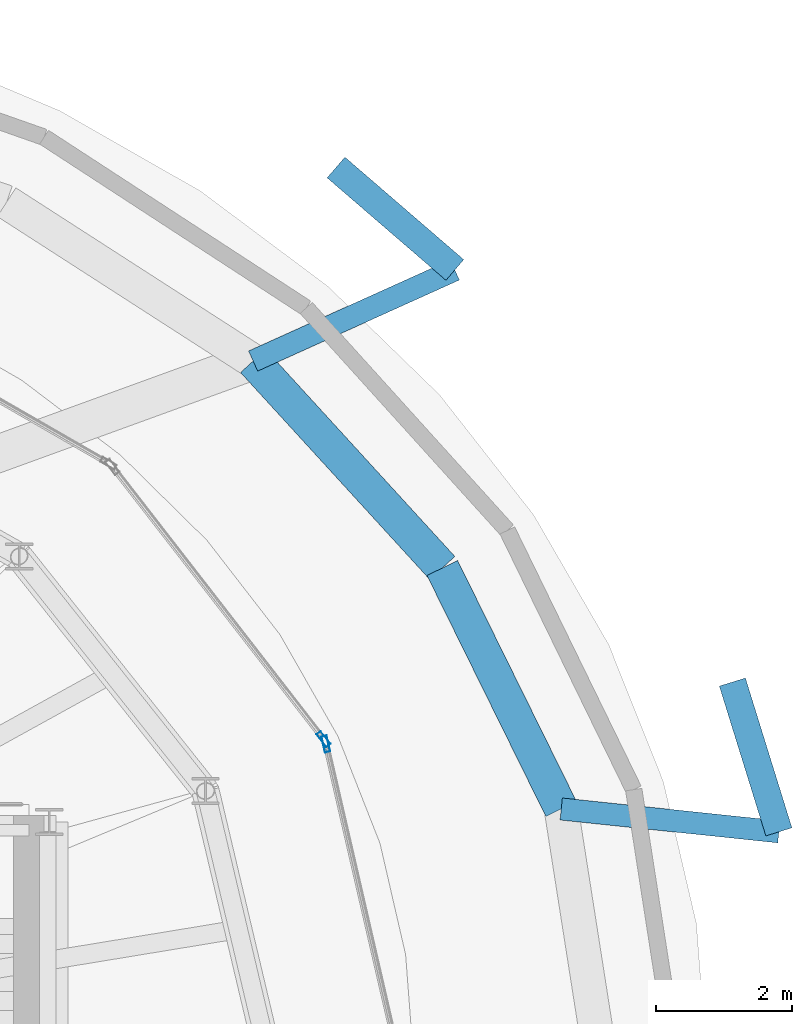
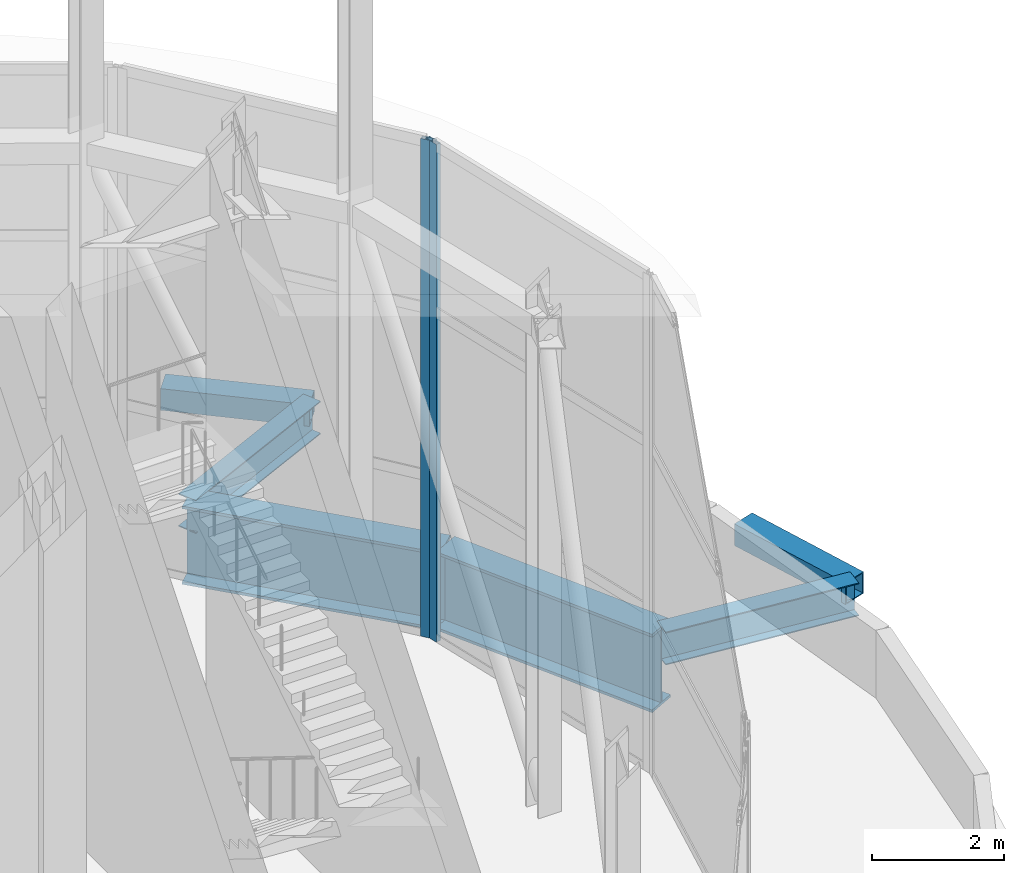
# One storey, part 17 of 22: 6 beams, 2 members, 2 elements without a shape of their own.
"""IFC4 building model written with IfcOpenShell, lengths in metres."""

from ifc_helpers import new_model, si_unit, direction, frame, origin, origin_2d, place, context, subcontext, project, spatial, hollow_rectangle, i_section, extrude, material, layer, layer_set, material_profile, profile_set, type_object, element, aggregate, save


model = new_model("IFC4")

# Units and contexts
model_context = context("Model", 3, precision=1e-05, world=origin(), true_north=direction((0.0, 1.0)))
body_context = subcontext(model_context, "Body", "Model", "MODEL_VIEW")
ifc_project = project(units=[si_unit("LENGTHUNIT", "METRE"), si_unit("AREAUNIT", "SQUARE_METRE"), si_unit("VOLUMEUNIT", "CUBIC_METRE"), si_unit("PLANEANGLEUNIT", "RADIAN"), si_unit("MASSUNIT", "GRAM", prefix="KILO")], contexts=[model_context])

# Site, building, storey
site_placement = place(None, origin())
site = spatial("IfcSite", under=ifc_project, at=site_placement, CompositionType="ELEMENT")
building_placement = place(site_placement, origin())
building = spatial("IfcBuilding", under=site, at=building_placement, Name="Nuhasar Tower", CompositionType="ELEMENT")
storey_placement = place(building_placement, frame((0.0, 0.0, 313.39990234375)))
storey = spatial("IfcBuildingStorey", under=building, at=storey_placement, Name="Roof Drum", CompositionType="ELEMENT", Elevation=313.39990234375)

# Beams
ifc_material_1 = material(Name="Steel S355", Category="steel")
ifc_material_profile_1 = material_profile(ifc_material_1, hollow_rectangle(XDim=0.39990234375, YDim=0.39990234375, WallThickness=0.01611328125, at=origin_2d()), Name="HSS400X400X16")
ifc_profile_set_1 = profile_set([ifc_material_profile_1], Name="Steel S355")
beam_type_1 = type_object("IfcBeamType", Name="BM-CRN-HSS400", PredefinedType="SPANDREL", material=ifc_profile_set_1)
beam_1_placement = place(storey_placement, frame((59.0458984375, 30.257080078125, -0.619873046875), z_axis=(-0.296569540832, 0.955011260379, 0.0), x_axis=(-0.955011260379, -0.296569540832, 0.0)))
element("IfcBeam", 1, at=beam_1_placement, inside=storey, type_object=beam_type_1, Name="Roof Drum Top Exoskeleton Collar Beam 01", PredefinedType="SPANDREL", context=body_context, shape_type="SweptSolid", body=[
    extrude(hollow_rectangle(XDim=0.39990234375, YDim=0.39990234375, WallThickness=0.01611328125, at=origin_2d()), origin(), (0.0, 0.0, 1.0), 2.29931640625),
])
beam_2_placement = place(storey_placement, frame((54.2958984375, 38.493896484375, -0.619873046875), z_axis=(-0.757297730378, 0.653069787668, 0.0), x_axis=(-0.653069787668, -0.757297730378, 0.0)))
element("IfcBeam", 2, at=beam_2_placement, inside=storey, type_object=beam_type_1, Name="Roof Drum Top Exoskeleton Collar Beam 02", PredefinedType="SPANDREL", context=body_context, shape_type="SweptSolid", body=[
    extrude(hollow_rectangle(XDim=0.39990234375, YDim=0.39990234375, WallThickness=0.01611328125, at=origin_2d()), origin(), (0.0, 0.0, 1.0), 2.30029296875),
])
ifc_material_profile_2 = material_profile(ifc_material_1, i_section(OverallWidth=0.323974609375, OverallDepth=0.611083984375, WebThickness=0.0126953125, FlangeThickness=0.01904296875, at=origin_2d()), Name="W24X104")
ifc_profile_set_2 = profile_set([ifc_material_profile_2], Name="Steel S355")
beam_type_2 = type_object("IfcBeamType", Name="BM-TIE-W24X104", PredefinedType="BEAM", material=ifc_profile_set_2)
beam_3_placement = place(storey_placement, frame((55.85498046875, 30.592041015625, -0.724853515625), z_axis=(0.994535432279, -0.104399587841, 0.0), x_axis=(0.104399587841, 0.994535432279, 0.0)))
element("IfcBeam", 3, at=beam_3_placement, inside=storey, type_object=beam_type_2, Name="Roof Drum Top Exoskeleton Tie Beam 01", PredefinedType="BEAM", context=body_context, shape_type="SweptSolid", body=[
    extrude(i_section(OverallWidth=0.323974609375, OverallDepth=0.611083984375, WebThickness=0.0126953125, FlangeThickness=0.01904296875, at=origin_2d()), origin(), (0.0, 0.0, 1.0), 3.20849609375),
])
beam_4_placement = place(storey_placement, frame((51.339111328125, 37.158935546875, -0.724853515625), z_axis=(0.911412482732, 0.411493968754, 0.0), x_axis=(-0.411493968754, 0.911412482732, 0.0)))
element("IfcBeam", 4, at=beam_4_placement, inside=storey, type_object=beam_type_2, Name="Roof Drum Top Exoskeleton Tie Beam 02", PredefinedType="BEAM", context=body_context, shape_type="SweptSolid", body=[
    extrude(i_section(OverallWidth=0.323974609375, OverallDepth=0.611083984375, WebThickness=0.0126953125, FlangeThickness=0.01904296875, at=origin_2d()), origin(), (0.0, 0.0, 1.0), 3.244140625),
])
ifc_material_2 = material(Name="Steel S460", Category="steel")
ifc_material_profile_3 = material_profile(ifc_material_2, i_section(OverallWidth=0.5, OverallDepth=1.449951171875, WebThickness=0.028076171875, FlangeThickness=0.050048828125, at=origin_2d()), Name="PG1450X500")
ifc_profile_set_3 = profile_set([ifc_material_profile_3], Name="Steel S460")
beam_type_3 = type_object("IfcBeamType", Name="BM-XFER-PG1450", PredefinedType="USERDEFINED", material=ifc_profile_set_3)
beam_5_placement = place(storey_placement, frame((55.85498046875, 30.592041015625, -1.14501953125), z_axis=(-0.442422907363, 0.896806540476, 0.0), x_axis=(-0.896806540476, -0.442422907363, 0.0)))
element("IfcBeam", 5, at=beam_5_placement, inside=storey, type_object=beam_type_3, Name="Roof Drum Outer Setback Spandrel 02", ObjectType="GIRDER", PredefinedType="USERDEFINED", context=body_context, shape_type="SweptSolid", body=[
    extrude(i_section(OverallWidth=0.5, OverallDepth=1.449951171875, WebThickness=0.028076171875, FlangeThickness=0.050048828125, at=origin_2d()), origin(), (0.0, 0.0, 1.0), 3.939453125),
])
beam_6_placement = place(storey_placement, frame((54.112060546875, 34.125, -1.14501953125), z_axis=(-0.674645322637, 0.738142051806, 0.0), x_axis=(-0.738142051806, -0.674645322637, 0.0)))
element("IfcBeam", 6, at=beam_6_placement, inside=storey, type_object=beam_type_3, Name="Roof Drum Outer Setback Spandrel 03", ObjectType="GIRDER", PredefinedType="USERDEFINED", context=body_context, shape_type="SweptSolid", body=[
    extrude(i_section(OverallWidth=0.5, OverallDepth=1.449951171875, WebThickness=0.028076171875, FlangeThickness=0.050048828125, at=origin_2d()), origin(), (0.0, 0.0, 1.0), 4.1103515625),
])

# Curtain wall, member
ifc_material_3 = material(Name="Aluminium 6063-T6", Category="aluminium")
ifc_layer = layer(ifc_material_3, 0.219970703125)
ifc_layer_set = layer_set([ifc_layer], Name="Aluminium 6063-T6")
curtain_wall_type = type_object("IfcCurtainWallType", Name="CW-CROWN", PredefinedType="NOTDEFINED", material=ifc_layer_set)
curtain_wall_1_placement = place(storey_placement, origin())
curtain_wall_1 = element("IfcCurtainWall", 7, at=curtain_wall_1_placement, inside=storey, type_object=curtain_wall_type, Name="Crown Lantern Curtain Wall 01", PredefinedType="NOTDEFINED")
ifc_material_profile_4 = material_profile(ifc_material_3, hollow_rectangle(XDim=0.080078125, YDim=0.239990234375, WallThickness=0.0048828125, at=origin_2d()), Name="CWM-7")
ifc_profile_set_4 = profile_set([ifc_material_profile_4], Name="Aluminium 6063-T6")
member_type = type_object("IfcMemberType", Name="CW-MUL-S7", PredefinedType="MULLION", material=ifc_profile_set_4)
member_1_placement = place(storey_placement, frame((52.405029296875, 31.544921875, 0.0), z_axis=(0.0, 0.0, 1.0), x_axis=(-0.974391195694, -0.2248595067, 0.0)))
member_1 = element("IfcMember", 8, at=member_1_placement, type_object=member_type, Name="CW-CR mullion 2", PredefinedType="MULLION", context=body_context, shape_type="SweptSolid", body=[
    extrude(hollow_rectangle(XDim=0.080078125, YDim=0.239990234375, WallThickness=0.0048828125, at=origin_2d()), origin(), (0.0, 0.0, 1.0), 9.22021484375),
])
aggregate(curtain_wall_1, [member_1])

curtain_wall_2_placement = place(storey_placement, origin())
curtain_wall_2 = element("IfcCurtainWall", 9, at=curtain_wall_2_placement, inside=storey, type_object=curtain_wall_type, Name="Crown Lantern Curtain Wall 02", PredefinedType="NOTDEFINED")
member_2_placement = place(storey_placement, frame((52.37158203125, 31.61572265625, 0.0), z_axis=(0.0, 0.0, 1.0), x_axis=(-0.79037966023, -0.612617329738, 0.0)))
member_2 = element("IfcMember", 10, at=member_2_placement, type_object=member_type, Name="CW-CR mullion 1", PredefinedType="MULLION", context=body_context, shape_type="SweptSolid", body=[
    extrude(hollow_rectangle(XDim=0.080078125, YDim=0.239990234375, WallThickness=0.0048828125, at=origin_2d()), origin(), (0.0, 0.0, 1.0), 9.22021484375),
])
aggregate(curtain_wall_2, [member_2])

save(model, "model.ifc")
